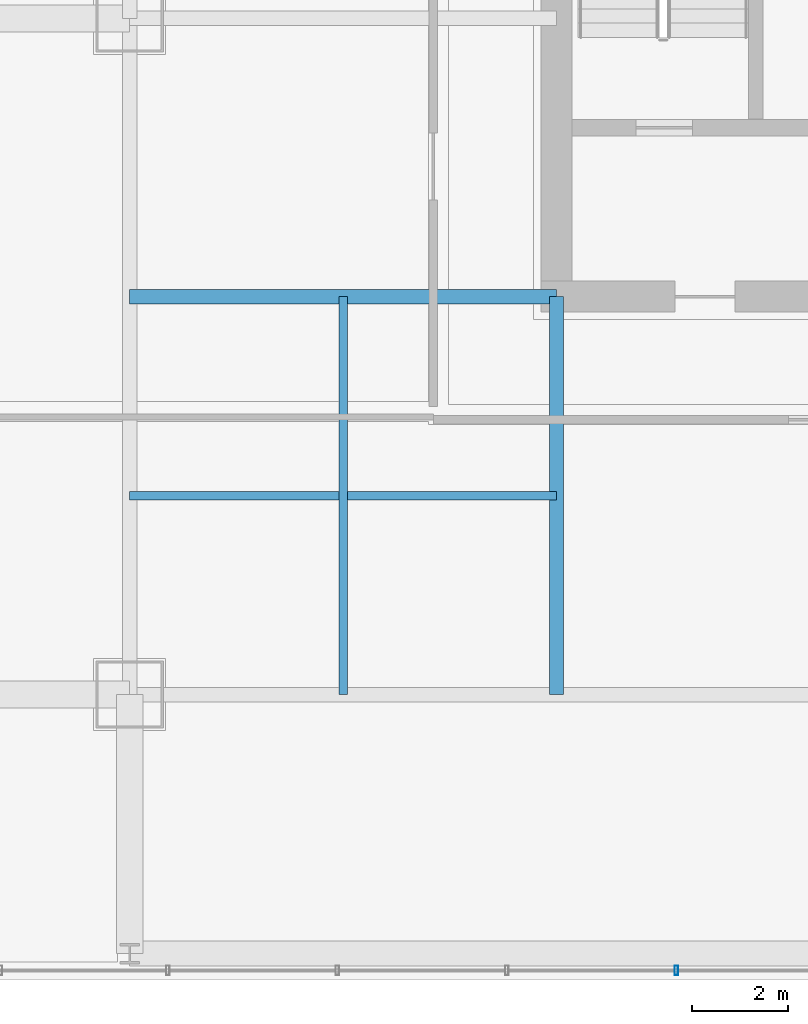
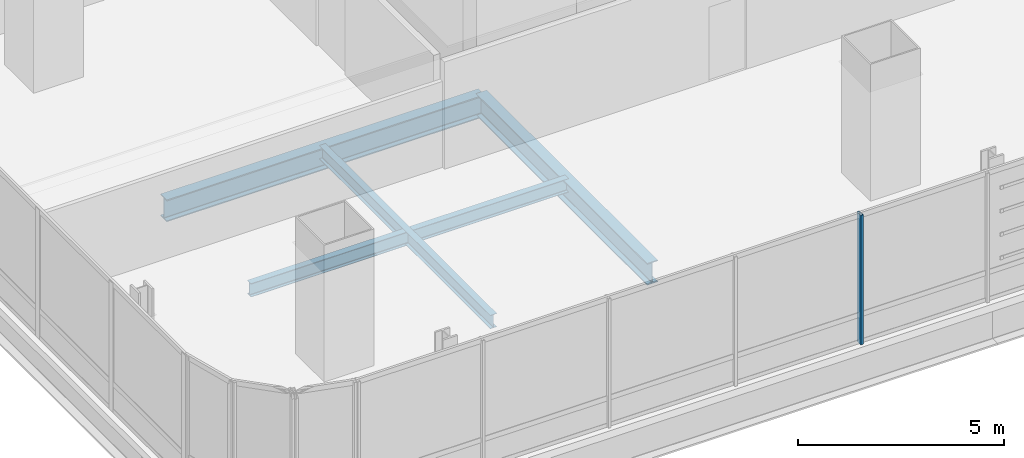
# One storey, part 5 of 36: 4 beams, 1 member, 1 element without a shape of its own.
"""IFC4 building model written with IfcOpenShell, lengths in metres."""

import ifcopenshell
import ifcopenshell.guid

model = None  # the IFC model being written
_history = None  # IfcOwnerHistory: only IFC2X3 demands one
_inside = {}  # id of a spatial element -> (the spatial element, [elements in it])
_under = {}  # id of a project, library or spatial element -> (it, [spatial elements below it])
_declared = {}  # id of a project -> (the project, [libraries it declares])
_typed = {}  # id of a type object -> (the type object, [elements of that type])
_made_of = {}  # id of a material, layer set ... -> (it, [elements and type objects made of it])


def new_model(schema):
    """Start an empty IFC model of exactly this schema.

    Asked for "IFC4X3", IfcOpenShell would pick the latest addendum, in which some entities
    have other attributes; the version numbers below select the first issue.
    IFC2X3 requires an IfcOwnerHistory on every rooted entity: one is made here for all.
    """
    global model, _history
    if schema == "IFC4X3":
        model = ifcopenshell.file(schema_version=(4, 3, 0, 0))
    else:
        model = ifcopenshell.file(schema=schema)
    _inside.clear()
    _under.clear()
    _declared.clear()
    _typed.clear()
    _made_of.clear()
    _history = None
    if model.schema == "IFC2X3":
        org = make("IfcOrganization", Name="unknown")
        user = make(
            "IfcPersonAndOrganization",
            ThePerson=make("IfcPerson", FamilyName="unknown"),
            TheOrganization=org,
        )
        app = make(
            "IfcApplication",
            ApplicationDeveloper=org,
            Version="unknown",
            ApplicationFullName="unknown",
            ApplicationIdentifier="unknown",
        )
        _history = make(
            "IfcOwnerHistory",
            OwningUser=user,
            OwningApplication=app,
            ChangeAction="ADDED",
            CreationDate=0,
        )
    return model


def make(cls, **values):
    """One entity of the class cls with the attributes given. An attribute that is None is left unset."""
    return model.create_entity(
        cls, **{name: value for name, value in values.items() if value is not None}
    )


def rooted(cls, **values):
    """An entity with a GlobalId (a new one), such as an element, a storey or a relation."""
    return make(cls, GlobalId=ifcopenshell.guid.new(), OwnerHistory=_history, **values)


def si_unit(unit_type, name, prefix=None):
    """IfcSIUnit, for example si_unit("LENGTHUNIT", "METRE", prefix="MILLI")."""
    return make("IfcSIUnit", UnitType=unit_type, Prefix=prefix, Name=name)


def assignment(units):
    """IfcUnitAssignment: the units of a project."""
    return None if units is None else make("IfcUnitAssignment", Units=units)


def point(xyz):
    """IfcCartesianPoint."""
    return None if xyz is None else make("IfcCartesianPoint", Coordinates=xyz)


def direction(xyz):
    """IfcDirection."""
    return None if xyz is None else make("IfcDirection", DirectionRatios=xyz)


def frame(location, z_axis=None, x_axis=None):
    """IfcAxis2Placement3D, a coordinate frame: its origin and axes. An axis left out is left unset."""
    return make(
        "IfcAxis2Placement3D",
        Location=point(location),
        Axis=direction(z_axis),
        RefDirection=direction(x_axis),
    )


def frame_2d(location, x_axis=None):
    """IfcAxis2Placement2D, a coordinate frame in the plane: its origin and x axis."""
    return make(
        "IfcAxis2Placement2D", Location=point(location), RefDirection=direction(x_axis)
    )


def origin():
    """The frame at (0, 0, 0) with its axes left unset."""
    return frame((0.0, 0.0, 0.0))


def origin_2d():
    """The frame at (0, 0) in the plane with its x axis left unset."""
    return frame_2d((0.0, 0.0))


def place(relative_to, where):
    """IfcLocalPlacement: puts the frame where relative to a parent placement (None: the world)."""
    return make(
        "IfcLocalPlacement", PlacementRelTo=relative_to, RelativePlacement=where
    )


def context(
    kind, dimensions, precision=None, world=None, true_north=None, identifier=None
):
    """IfcGeometricRepresentationContext, for example the 3D "Model" context."""
    return make(
        "IfcGeometricRepresentationContext",
        ContextIdentifier=identifier,
        ContextType=kind,
        CoordinateSpaceDimension=dimensions,
        Precision=precision,
        WorldCoordinateSystem=world,
        TrueNorth=true_north,
    )


def subcontext(parent, identifier, kind, view, scale=None):
    """IfcGeometricRepresentationSubContext, for example "Body" below "Model"."""
    return make(
        "IfcGeometricRepresentationSubContext",
        ContextIdentifier=identifier,
        ContextType=kind,
        ParentContext=parent,
        TargetScale=scale,
        TargetView=view,
    )


def project(units=None, contexts=None):
    """IfcProject with its units and contexts."""
    return rooted(
        "IfcProject",
        Name="project",
        RepresentationContexts=contexts,
        UnitsInContext=assignment(units),
    )


def spatial(cls, under=None, at=None, **own):
    """A site, building, storey or space (cls), placed at a placement, below another one or the project."""
    s = rooted(cls, ObjectPlacement=at, **own)
    if under is not None:
        _under.setdefault(under.id(), (under, []))[1].append(s)
    return s


def profile(cls, at=None, kind="AREA", **sizes):
    """A parametric profile (cls). Its sizes go by their IFC names, for example OverallWidth=200.0."""
    return make(cls, ProfileType=kind, Position=at, **sizes)


def hollow_rectangle(**sizes):
    """IfcRectangleHollowProfileDef."""
    return profile("IfcRectangleHollowProfileDef", **sizes)


def i_section(**sizes):
    """IfcIShapeProfileDef."""
    return profile("IfcIShapeProfileDef", **sizes)


def extrude(swept, where, along, depth):
    """IfcExtrudedAreaSolid: the profile swept, set in the frame where, extruded along a direction by depth."""
    return make(
        "IfcExtrudedAreaSolid",
        SweptArea=swept,
        Position=where,
        ExtrudedDirection=direction(along),
        Depth=depth,
    )


def shape(context_of_items, identifier, shape_type, items):
    """IfcShapeRepresentation: the items that make up one representation, for example the "Body"."""
    return make(
        "IfcShapeRepresentation",
        ContextOfItems=context_of_items,
        RepresentationIdentifier=identifier,
        RepresentationType=shape_type,
        Items=items,
    )


def material(Name=None, Category=None):
    """IfcMaterial."""
    return make("IfcMaterial", Name=Name, Category=Category)


def material_profile(
    of_material, cross_section, Name=None, Category=None, Priority=None
):
    """IfcMaterialProfile: a cross section and its material."""
    return make(
        "IfcMaterialProfile",
        Name=Name,
        Material=of_material,
        Profile=cross_section,
        Priority=Priority,
        Category=Category,
    )


def profile_set(profiles, Name=None, composite=None):
    """IfcMaterialProfileSet."""
    return make(
        "IfcMaterialProfileSet",
        Name=Name,
        MaterialProfiles=profiles,
        CompositeProfile=composite,
    )


def made_of(thing, what):
    """Note that an element or type object is made of a material, layer set ...; save() writes the relation."""
    if what is not None:
        _made_of.setdefault(what.id(), (what, []))[1].append(thing)
    return thing


def type_object(cls, material=None, **own):
    """A type object (cls), such as IfcWallType, which elements share."""
    return made_of(rooted(cls, **own), material)


def element(
    cls,
    number,
    at=None,
    inside=None,
    cuts=None,
    type_object=None,
    material=None,
    context=None,
    identifier="Body",
    shape_type=None,
    held_by="IfcProductDefinitionShape",
    body=None,
    shapes=None,
    **own,
):
    """One element of the class cls, such as IfcWall. Its Tag is "e" and its number.

    at: its placement. inside: the storey or other place that contains it. cuts: it is an
    opening in that element (IfcRelVoidsElement). A single representation is given by context,
    identifier, shape_type and body (its items); several are given by shapes. held_by: the class
    of the entity that holds the representations. save() writes the other relations.
    """
    e = rooted(cls, Tag="e%d" % number, ObjectPlacement=at, **own)
    if body is not None:
        shapes = [shape(context, identifier, shape_type, body)]
    if shapes is not None:
        e.Representation = make(held_by, Representations=shapes)
    if inside is not None:
        _inside.setdefault(inside.id(), (inside, []))[1].append(e)
    if cuts is not None:
        rooted(
            "IfcRelVoidsElement", RelatingBuildingElement=cuts, RelatedOpeningElement=e
        )
    if type_object is not None:
        _typed.setdefault(type_object.id(), (type_object, []))[1].append(e)
    return made_of(e, material)


def aggregate(whole, parts):
    """IfcRelAggregates: a whole, such as a stair, and the parts it consists of."""
    return rooted("IfcRelAggregates", RelatingObject=whole, RelatedObjects=parts)


def save(model, path):
    """Write the relations noted so far, then the file.

    IfcRelAggregates (storeys below a building ...), IfcRelContainedInSpatialStructure (elements
    in a storey), IfcRelDefinesByType, IfcRelAssociatesMaterial and IfcRelDeclares: one each for
    every whole, place, type object, material and project.
    """
    for whole, parts in _under.values():
        aggregate(whole, parts)
    for where, things in _inside.values():
        rooted(
            "IfcRelContainedInSpatialStructure",
            RelatedElements=things,
            RelatingStructure=where,
        )
    for kind, things in _typed.values():
        rooted("IfcRelDefinesByType", RelatedObjects=things, RelatingType=kind)
    for what, things in _made_of.values():
        rooted("IfcRelAssociatesMaterial", RelatedObjects=things, RelatingMaterial=what)
    for by, libraries in _declared.values():
        rooted("IfcRelDeclares", RelatingContext=by, RelatedDefinitions=libraries)
    model.write(path)


model = new_model("IFC4")

# Units and contexts
model_context = context("Model", 3, precision=1e-05, world=origin(), true_north=direction((0.0, 1.0)))
body_context = subcontext(model_context, "Body", "Model", "MODEL_VIEW")
ifc_project = project(units=[si_unit("LENGTHUNIT", "METRE"), si_unit("AREAUNIT", "SQUARE_METRE"), si_unit("VOLUMEUNIT", "CUBIC_METRE"), si_unit("PLANEANGLEUNIT", "RADIAN"), si_unit("MASSUNIT", "GRAM", prefix="KILO")], contexts=[model_context])

# Site, building, storey
site_placement = place(None, origin())
site = spatial("IfcSite", under=ifc_project, at=site_placement, CompositionType="ELEMENT")
building_placement = place(site_placement, origin())
building = spatial("IfcBuilding", under=site, at=building_placement, Name="Punatoya Terracotta Tower", CompositionType="ELEMENT")
storey_placement = place(building_placement, frame((0.0, 0.0, 184.35009765625)))
storey = spatial("IfcBuildingStorey", under=building, at=storey_placement, Name="L43", CompositionType="ELEMENT", Elevation=184.35009765625)

# Beams
ifc_material_1 = material(Name="Steel S355", Category="steel")
ifc_material_profile_1 = material_profile(ifc_material_1, i_section(OverallWidth=0.300048828125, OverallDepth=0.64990234375, WebThickness=0.01611328125, FlangeThickness=0.031005859375, FilletRadius=0.01806640625, at=origin_2d()))
ifc_profile_set_1 = profile_set([ifc_material_profile_1], Name="Steel S355")
beam_type_1 = type_object("IfcBeamType", Name="BM-PRI-650", PredefinedType="BEAM", material=ifc_profile_set_1)
beam_1_placement = place(storey_placement, frame((-19.10009765625, -9.199951171875, -0.545166015625), z_axis=(1.0, 0.0, 0.0), x_axis=(0.0, 1.0, 0.0)))
element("IfcBeam", 1, at=beam_1_placement, inside=storey, type_object=beam_type_1, Name="BM-L43-PR-WS", PredefinedType="BEAM", context=body_context, shape_type="SweptSolid", body=[
    extrude(i_section(OverallWidth=0.300048828125, OverallDepth=0.64990234375, WebThickness=0.01611328125, FlangeThickness=0.031005859375, FilletRadius=0.01806640625, at=origin_2d()), origin(), (0.0, 0.0, 1.0), 8.900146484375),
])
beam_2_placement = place(storey_placement, frame((-10.199951171875, -17.5, -0.545166015625), z_axis=(0.0, 1.0, 0.0), x_axis=(-1.0, 0.0, 0.0)))
element("IfcBeam", 2, at=beam_2_placement, inside=storey, type_object=beam_type_1, Name="BM-L43-PR-S1", PredefinedType="BEAM", context=body_context, shape_type="SweptSolid", body=[
    extrude(i_section(OverallWidth=0.300048828125, OverallDepth=0.64990234375, WebThickness=0.01611328125, FlangeThickness=0.031005859375, FilletRadius=0.01806640625, at=origin_2d()), origin(), (0.0, 0.0, 1.0), 8.300048828125),
])
ifc_material_profile_2 = material_profile(ifc_material_1, i_section(OverallWidth=0.179931640625, OverallDepth=0.39990234375, WebThickness=0.008544921875, FlangeThickness=0.013427734375, FilletRadius=0.01806640625, at=origin_2d()))
ifc_profile_set_2 = profile_set([ifc_material_profile_2], Name="Steel S355")
beam_type_2 = type_object("IfcBeamType", Name="BM-SEC-400", PredefinedType="JOIST", material=ifc_profile_set_2)
beam_3_placement = place(storey_placement, frame((-19.10009765625, -13.35009765625, -0.420166015625), z_axis=(1.0, 0.0, 0.0), x_axis=(0.0, 1.0, 0.0)))
element("IfcBeam", 3, at=beam_3_placement, inside=storey, type_object=beam_type_2, Name="BM-L43-SJS-1", PredefinedType="JOIST", context=body_context, shape_type="SweptSolid", body=[
    extrude(i_section(OverallWidth=0.179931640625, OverallDepth=0.39990234375, WebThickness=0.008544921875, FlangeThickness=0.013427734375, FilletRadius=0.01806640625, at=origin_2d()), origin(), (0.0, 0.0, 1.0), 8.900146484375),
])
beam_4_placement = place(storey_placement, frame((-14.64990234375, -17.5, -0.420166015625), z_axis=(0.0, 1.0, 0.0), x_axis=(-1.0, 0.0, 0.0)))
element("IfcBeam", 4, at=beam_4_placement, inside=storey, type_object=beam_type_2, Name="BM-L43-SJW-1", PredefinedType="JOIST", context=body_context, shape_type="SweptSolid", body=[
    extrude(i_section(OverallWidth=0.179931640625, OverallDepth=0.39990234375, WebThickness=0.008544921875, FlangeThickness=0.013427734375, FilletRadius=0.01806640625, at=origin_2d()), origin(), (0.0, 0.0, 1.0), 8.300048828125),
])

# Curtain wall, member
ifc_material_2 = material(Name="Aluminium 6063-T6 + Double Low-E Glass", Category="aluminium")
curtain_wall_type = type_object("IfcCurtainWallType", Name="CW-M2", PredefinedType="NOTDEFINED", material=ifc_material_2)
curtain_wall_placement = place(storey_placement, origin())
curtain_wall = element("IfcCurtainWall", 5, at=curtain_wall_placement, inside=storey, type_object=curtain_wall_type, Name="L43 Curtain Wall CW-L43-S01-1", PredefinedType="NOTDEFINED")
ifc_material_3 = material(Name="Aluminium 6063-T6", Category="aluminium")
ifc_material_profile_3 = material_profile(ifc_material_3, hollow_rectangle(XDim=0.072021484375, YDim=0.195068359375, WallThickness=0.00439453125, at=origin_2d()))
ifc_profile_set_3 = profile_set([ifc_material_profile_3], Name="Aluminium 6063-T6")
member_type = type_object("IfcMemberType", Name="CW-MUL-M2", PredefinedType="MULLION", material=ifc_profile_set_3)
member_placement = place(storey_placement, frame((-7.700927734375, -23.25, 0.0), z_axis=(0.0, 0.0, 1.0), x_axis=(1.0, 0.0, 0.0)))
member = element("IfcMember", 6, at=member_placement, type_object=member_type, Name="CW-L43-S01-1 Mullion 04", PredefinedType="MULLION", context=body_context, shape_type="SweptSolid", body=[
    extrude(hollow_rectangle(XDim=0.072021484375, YDim=0.195068359375, WallThickness=0.00439453125, at=origin_2d()), origin(), (0.0, 0.0, 1.0), 3.829833984375),
])
aggregate(curtain_wall, [member])

save(model, "model.ifc")
